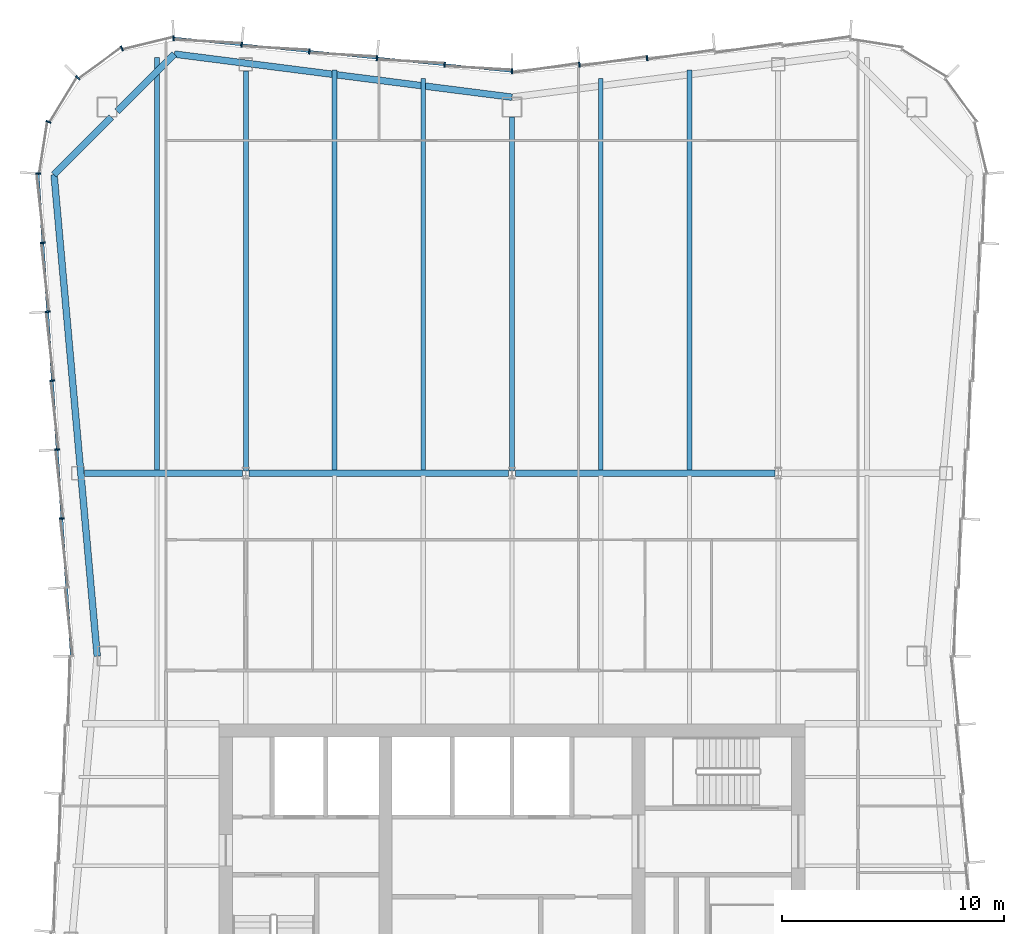
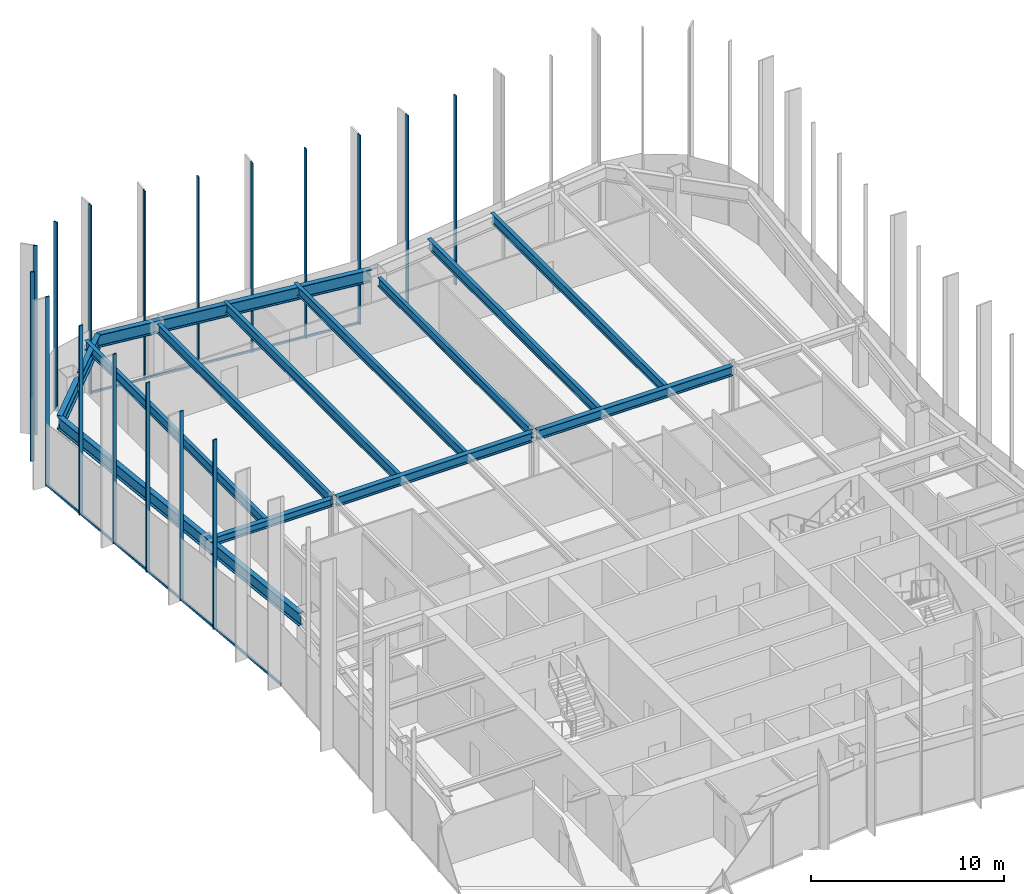
# One storey, part 6 of 13: 19 members, 14 beams, 3 elements without a shape of their own.
"""IFC4 building model written with IfcOpenShell, lengths in metres."""

from ifc_helpers import new_model, si_unit, direction, frame, origin, origin_2d, place, context, subcontext, project, spatial, rectangle, i_section, extrude, material, material_profile, profile_set, type_object, element, aggregate, save


model = new_model("IFC4")

# Units and contexts
model_context = context("Model", 3, precision=1e-05, world=origin(), true_north=direction((0.0, 1.0)))
body_context = subcontext(model_context, "Body", "Model", "MODEL_VIEW")
ifc_project = project(units=[si_unit("LENGTHUNIT", "METRE"), si_unit("AREAUNIT", "SQUARE_METRE"), si_unit("VOLUMEUNIT", "CUBIC_METRE"), si_unit("PLANEANGLEUNIT", "RADIAN"), si_unit("MASSUNIT", "GRAM", prefix="KILO")], contexts=[model_context])

# Site, building, storey
site_placement = place(None, origin())
site = spatial("IfcSite", under=ifc_project, at=site_placement, CompositionType="ELEMENT")
building_placement = place(site_placement, origin())
building = spatial("IfcBuilding", under=site, at=building_placement, Name="Verdant Reach Tower", CompositionType="ELEMENT")
storey_placement = place(building_placement, frame((0.0, 0.0, 294.0)))
storey = spatial("IfcBuildingStorey", under=building, at=storey_placement, Name="L67", CompositionType="ELEMENT", Elevation=294.0)

# Curtain wall, members
ifc_material_1 = material(Name="Anodised aluminium", Category="aluminium")
curtain_wall_type = type_object("IfcCurtainWallType", Name="EN-CW SYSTEM Z5", PredefinedType="NOTDEFINED", material=ifc_material_1)
curtain_wall_1_placement = place(storey_placement, origin())
curtain_wall_1 = element("IfcCurtainWall", 1, at=curtain_wall_1_placement, inside=storey, type_object=curtain_wall_type, Name="Curtain wall north, L67", PredefinedType="NOTDEFINED")
ifc_material_profile_1 = material_profile(ifc_material_1, rectangle(XDim=0.22998046875, YDim=0.070068359375, at=origin_2d()), Name="Mullion 70x230")
ifc_profile_set_1 = profile_set([ifc_material_profile_1], Name="Anodised aluminium")
member_type_1 = type_object("IfcMemberType", Name="EN-MULLION Z5", PredefinedType="MULLION", material=ifc_profile_set_1)
member_1_placement = place(storey_placement, frame((6.088623046875, 68.21435546875, -0.35009765625), z_axis=(0.0, 0.0, 1.0), x_axis=(-0.09788826992, 0.995197410875, 0.0)))
member_1 = element("IfcMember", 2, at=member_1_placement, type_object=member_type_1, Name="Mullion north face part 1 4, L67", PredefinedType="MULLION", context=body_context, shape_type="SweptSolid", body=[
    extrude(rectangle(XDim=0.22998046875, YDim=0.070068359375, at=origin_2d()), origin(), (0.0, 0.0, 1.0), 12.0),
])
member_2_placement = place(storey_placement, frame((3.038818359375, 67.91455078125, -0.35009765625), z_axis=(0.0, 0.0, 1.0), x_axis=(-0.09788826992, 0.995197410875, 0.0)))
member_2 = element("IfcMember", 3, at=member_2_placement, type_object=member_type_1, Name="Mullion north face part 1 5, L67", PredefinedType="MULLION", context=body_context, shape_type="SweptSolid", body=[
    extrude(rectangle(XDim=0.22998046875, YDim=0.070068359375, at=origin_2d()), origin(), (0.0, 0.0, 1.0), 12.0),
])
member_3_placement = place(storey_placement, frame((0.0, 67.614990234375, -0.35009765625), z_axis=(0.0, 0.0, 1.0), x_axis=(0.0, 1.0, 0.0)))
member_3 = element("IfcMember", 4, at=member_3_placement, type_object=member_type_1, Name="Mullion north face part 2 1, L67", PredefinedType="MULLION", context=body_context, shape_type="SweptSolid", body=[
    extrude(rectangle(XDim=0.22998046875, YDim=0.070068359375, at=origin_2d()), origin(), (0.0, 0.0, 1.0), 12.0),
])
member_4_placement = place(storey_placement, frame((-3.038818359375, 67.91455078125, -0.35009765625), z_axis=(0.0, 0.0, 1.0), x_axis=(0.09788826992, 0.995197410875, 0.0)))
member_4 = element("IfcMember", 5, at=member_4_placement, type_object=member_type_1, Name="Mullion north face part 2 2, L67", PredefinedType="MULLION", context=body_context, shape_type="SweptSolid", body=[
    extrude(rectangle(XDim=0.22998046875, YDim=0.070068359375, at=origin_2d()), origin(), (0.0, 0.0, 1.0), 12.0),
])
member_5_placement = place(storey_placement, frame((-6.088623046875, 68.21435546875, -0.35009765625), z_axis=(0.0, 0.0, 1.0), x_axis=(0.09788826992, 0.995197410875, 0.0)))
member_5 = element("IfcMember", 6, at=member_5_placement, type_object=member_type_1, Name="Mullion north face part 2 3, L67", PredefinedType="MULLION", context=body_context, shape_type="SweptSolid", body=[
    extrude(rectangle(XDim=0.22998046875, YDim=0.070068359375, at=origin_2d()), origin(), (0.0, 0.0, 1.0), 12.0),
])
member_6_placement = place(storey_placement, frame((-9.138671875, 68.514404296875, -0.35009765625), z_axis=(0.0, 0.0, 1.0), x_axis=(0.09788826992, 0.995197410875, 0.0)))
member_6 = element("IfcMember", 7, at=member_6_placement, type_object=member_type_1, Name="Mullion north face part 2 4, L67", PredefinedType="MULLION", context=body_context, shape_type="SweptSolid", body=[
    extrude(rectangle(XDim=0.22998046875, YDim=0.070068359375, at=origin_2d()), origin(), (0.0, 0.0, 1.0), 12.0),
])
member_7_placement = place(storey_placement, frame((-12.188720703125, 68.814453125, -0.35009765625), z_axis=(0.0, 0.0, 1.0), x_axis=(0.09788826992, 0.995197410875, 0.0)))
member_7 = element("IfcMember", 8, at=member_7_placement, type_object=member_type_1, Name="Mullion north face part 2 5, L67", PredefinedType="MULLION", context=body_context, shape_type="SweptSolid", body=[
    extrude(rectangle(XDim=0.22998046875, YDim=0.070068359375, at=origin_2d()), origin(), (0.0, 0.0, 1.0), 12.0),
])

curtain_wall_2_placement = place(storey_placement, origin())
curtain_wall_2 = element("IfcCurtainWall", 9, at=curtain_wall_2_placement, inside=storey, type_object=curtain_wall_type, Name="Curtain wall north-west corner, L67", PredefinedType="NOTDEFINED")
member_8_placement = place(storey_placement, frame((-15.255615234375, 69.11474609375, -0.35009765625), z_axis=(0.0, 0.0, 1.0), x_axis=(-0.049127596288, 0.998792510626, 0.0)))
member_8 = element("IfcMember", 10, at=member_8_placement, type_object=member_type_1, Name="Mullion north-west corner 1, L67", PredefinedType="MULLION", context=body_context, shape_type="SweptSolid", body=[
    extrude(rectangle(XDim=0.22998046875, YDim=0.070068359375, at=origin_2d()), origin(), (0.0, 0.0, 1.0), 12.0),
])
member_9_placement = place(storey_placement, frame((-17.590087890625, 68.649658203125, -0.35009765625), z_axis=(0.0, 0.0, 1.0), x_axis=(-0.382693853776, 0.923875215753, 0.0)))
member_9 = element("IfcMember", 11, at=member_9_placement, type_object=member_type_1, Name="Mullion north-west corner 2, L67", PredefinedType="MULLION", context=body_context, shape_type="SweptSolid", body=[
    extrude(rectangle(XDim=0.22998046875, YDim=0.070068359375, at=origin_2d()), origin(), (0.0, 0.0, 1.0), 12.0),
])
member_10_placement = place(storey_placement, frame((-19.573974609375, 67.323974609375, -0.35009765625), z_axis=(0.0, 0.0, 1.0), x_axis=(-0.707106781187, 0.707106781187, 0.0)))
member_10 = element("IfcMember", 12, at=member_10_placement, type_object=member_type_1, Name="Mullion north-west corner 3, L67", PredefinedType="MULLION", context=body_context, shape_type="SweptSolid", body=[
    extrude(rectangle(XDim=0.22998046875, YDim=0.070068359375, at=origin_2d()), origin(), (0.0, 0.0, 1.0), 12.0),
])
member_11_placement = place(storey_placement, frame((-20.899658203125, 65.340087890625, -0.35009765625), z_axis=(0.0, 0.0, 1.0), x_axis=(-0.923875215753, 0.382693853776, 0.0)))
member_11 = element("IfcMember", 13, at=member_11_placement, type_object=member_type_1, Name="Mullion north-west corner 4, L67", PredefinedType="MULLION", context=body_context, shape_type="SweptSolid", body=[
    extrude(rectangle(XDim=0.22998046875, YDim=0.070068359375, at=origin_2d()), origin(), (0.0, 0.0, 1.0), 12.0),
])
aggregate(curtain_wall_2, [member_8, member_9, member_10, member_11])

curtain_wall_3_placement = place(storey_placement, origin())
curtain_wall_3 = element("IfcCurtainWall", 14, at=curtain_wall_3_placement, inside=storey, type_object=curtain_wall_type, Name="Curtain wall west, L67", PredefinedType="NOTDEFINED")
member_12_placement = place(storey_placement, frame((-21.36474609375, 63.00732421875, -0.35009765625), z_axis=(0.0, 0.0, 1.0), x_axis=(-0.997969180898, 0.063698618332, 0.0)))
member_12 = element("IfcMember", 15, at=member_12_placement, type_object=member_type_1, Name="Mullion west face part 1 1, L67", PredefinedType="MULLION", context=body_context, shape_type="SweptSolid", body=[
    extrude(rectangle(XDim=0.22998046875, YDim=0.070068359375, at=origin_2d()), origin(), (0.0, 0.0, 1.0), 12.0),
])
member_13_placement = place(storey_placement, frame((-21.150390625, 59.885009765625, -0.35009765625), z_axis=(0.0, 0.0, 1.0), x_axis=(-0.997630328423, -0.068802091615, 0.0)))
member_13 = element("IfcMember", 16, at=member_13_placement, type_object=member_type_1, Name="Mullion west face part 1 2, L67", PredefinedType="MULLION", context=body_context, shape_type="SweptSolid", body=[
    extrude(rectangle(XDim=0.22998046875, YDim=0.070068359375, at=origin_2d()), origin(), (0.0, 0.0, 1.0), 12.0),
])
member_14_placement = place(storey_placement, frame((-20.93603515625, 56.77783203125, -0.35009765625), z_axis=(0.0, 0.0, 1.0), x_axis=(-0.997630328423, -0.068802091615, 0.0)))
member_14 = element("IfcMember", 17, at=member_14_placement, type_object=member_type_1, Name="Mullion west face part 1 3, L67", PredefinedType="MULLION", context=body_context, shape_type="SweptSolid", body=[
    extrude(rectangle(XDim=0.22998046875, YDim=0.070068359375, at=origin_2d()), origin(), (0.0, 0.0, 1.0), 12.0),
])
member_15_placement = place(storey_placement, frame((-20.721923828125, 53.670654296875, -0.35009765625), z_axis=(0.0, 0.0, 1.0), x_axis=(-0.997630328423, -0.068802091615, 0.0)))
member_15 = element("IfcMember", 18, at=member_15_placement, type_object=member_type_1, Name="Mullion west face part 1 4, L67", PredefinedType="MULLION", context=body_context, shape_type="SweptSolid", body=[
    extrude(rectangle(XDim=0.22998046875, YDim=0.070068359375, at=origin_2d()), origin(), (0.0, 0.0, 1.0), 12.0),
])
member_16_placement = place(storey_placement, frame((-20.507568359375, 50.5634765625, -0.35009765625), z_axis=(0.0, 0.0, 1.0), x_axis=(-0.997630328423, -0.068802091615, 0.0)))
member_16 = element("IfcMember", 19, at=member_16_placement, type_object=member_type_1, Name="Mullion west face part 1 5, L67", PredefinedType="MULLION", context=body_context, shape_type="SweptSolid", body=[
    extrude(rectangle(XDim=0.22998046875, YDim=0.070068359375, at=origin_2d()), origin(), (0.0, 0.0, 1.0), 12.0),
])
member_17_placement = place(storey_placement, frame((-20.293212890625, 47.456298828125, -0.35009765625), z_axis=(0.0, 0.0, 1.0), x_axis=(-0.997630328423, -0.068802091615, 0.0)))
member_17 = element("IfcMember", 20, at=member_17_placement, type_object=member_type_1, Name="Mullion west face part 1 6, L67", PredefinedType="MULLION", context=body_context, shape_type="SweptSolid", body=[
    extrude(rectangle(XDim=0.22998046875, YDim=0.070068359375, at=origin_2d()), origin(), (0.0, 0.0, 1.0), 12.0),
])

# Member
ifc_material_profile_2 = material_profile(ifc_material_1, rectangle(XDim=0.10009765625, YDim=0.1298828125, at=origin_2d()), Name="Transom 130x100")
ifc_profile_set_2 = profile_set([ifc_material_profile_2], Name="Anodised aluminium")
member_type_2 = type_object("IfcMemberType", Name="EN-TRANSOM Z5", PredefinedType="USERDEFINED", material=ifc_profile_set_2)
member_18_placement = place(storey_placement, frame((-0.034912109375, 67.618408203125, -0.284912109375), z_axis=(-0.99520229006, 0.097838652171, 0.0), x_axis=(-0.097838652171, -0.99520229006, 0.0)))
member_18 = element("IfcMember", 21, at=member_18_placement, type_object=member_type_2, Name="Transom north face part 2 1.1, L67", ObjectType="TRANSOM", PredefinedType="USERDEFINED", context=body_context, shape_type="SweptSolid", body=[
    extrude(rectangle(XDim=0.10009765625, YDim=0.1298828125, at=origin_2d()), origin(), (0.0, 0.0, 1.0), 15.259033203125),
])

aggregate(curtain_wall_1, [member_1, member_2, member_3, member_4, member_5, member_6, member_7, member_18])

member_19_placement = place(storey_placement, frame((-21.3623046875, 62.972412109375, -0.284912109375), z_axis=(0.068764705107, -0.997632906099, 0.0), x_axis=(0.997632906099, 0.068764705107, 0.0)))
member_19 = element("IfcMember", 22, at=member_19_placement, type_object=member_type_2, Name="Transom west face part 1 1.1, L67", ObjectType="TRANSOM", PredefinedType="USERDEFINED", context=body_context, shape_type="SweptSolid", body=[
    extrude(rectangle(XDim=0.10009765625, YDim=0.1298828125, at=origin_2d()), origin(), (0.0, 0.0, 1.0), 21.739013671875),
])

aggregate(curtain_wall_3, [member_12, member_13, member_14, member_15, member_16, member_17, member_19])

# Beams
ifc_material_2 = material(Name="Steel S355", Category="steel")
ifc_material_profile_3 = material_profile(ifc_material_2, i_section(OverallWidth=0.300048828125, OverallDepth=0.489990234375, WebThickness=0.011962890625, FlangeThickness=0.02294921875, FilletRadius=0.027099609375, at=origin_2d()), Name="HEA 500")
ifc_profile_set_3 = profile_set([ifc_material_profile_3], Name="Steel S355")
beam_type_1 = type_object("IfcBeamType", Name="ST-BEAM-HEA500", PredefinedType="BEAM", material=ifc_profile_set_3)
beam_1_placement = place(storey_placement, frame((-19.26904296875, 49.5, 3.625), z_axis=(1.0, 0.0, 0.0), x_axis=(0.0, 1.0, 0.0)))
element("IfcBeam", 23, at=beam_1_placement, inside=storey, type_object=beam_type_1, Name="Row girder, L67", PredefinedType="BEAM", context=body_context, shape_type="SweptSolid", body=[
    extrude(i_section(OverallWidth=0.300048828125, OverallDepth=0.489990234375, WebThickness=0.011962890625, FlangeThickness=0.02294921875, FilletRadius=0.027099609375, at=origin_2d()), origin(), (0.0, 0.0, 1.0), 7.115966796875),
])
ifc_material_profile_4 = material_profile(ifc_material_2, i_section(OverallWidth=0.300048828125, OverallDepth=0.60009765625, WebThickness=0.015380859375, FlangeThickness=0.030029296875, FilletRadius=0.027099609375, at=origin_2d()), Name="HEB 600")
ifc_profile_set_4 = profile_set([ifc_material_profile_4], Name="Steel S355")
beam_type_2 = type_object("IfcBeamType", Name="ST-BEAM-HEB600", PredefinedType="BEAM", material=ifc_profile_set_4)
for number, where, z_axis, x_axis, name in (
    (24, (-11.846923828125, 49.5, 3.570068359375), (1.0, 0.0, 0.0), (0.0, 1.0, 0.0), "Row girder, L67"),
    (25, (0.153076171875, 49.5, 3.570068359375), (1.0, 0.0, 0.0), (0.0, 1.0, 0.0), "Row girder, L67"),
):
    element("IfcBeam", number, at=place(storey_placement, frame(where, z_axis=z_axis, x_axis=x_axis)), inside=storey, type_object=beam_type_2, Name=name, PredefinedType="BEAM", context=body_context, shape_type="SweptSolid", body=[
        extrude(i_section(OverallWidth=0.300048828125, OverallDepth=0.60009765625, WebThickness=0.015380859375, FlangeThickness=0.030029296875, FilletRadius=0.027099609375, at=origin_2d()), origin(), (0.0, 0.0, 1.0), 11.69384765625),
    ])
ifc_material_profile_5 = material_profile(ifc_material_2, i_section(OverallWidth=0.2099609375, OverallDepth=0.550048828125, WebThickness=0.010986328125, FlangeThickness=0.01708984375, FilletRadius=0.02392578125, at=origin_2d()), Name="IPE 550")
ifc_profile_set_5 = profile_set([ifc_material_profile_5], Name="Steel S355")
beam_type_3 = type_object("IfcBeamType", Name="ST-JOIST-IPE550", PredefinedType="JOIST", material=ifc_profile_set_5)
beam_2_placement = place(storey_placement, frame((0.0, 49.60009765625, 3.594970703125), z_axis=(0.0, 1.0, 0.0), x_axis=(-1.0, 0.0, 0.0)))
element("IfcBeam", 26, at=beam_2_placement, inside=storey, type_object=beam_type_3, Name="Floor joist, L67", PredefinedType="JOIST", context=body_context, shape_type="SweptSolid", body=[
    extrude(i_section(OverallWidth=0.2099609375, OverallDepth=0.550048828125, WebThickness=0.010986328125, FlangeThickness=0.01708984375, FilletRadius=0.02392578125, at=origin_2d()), origin(), (0.0, 0.0, 1.0), 15.949951171875),
])
ifc_material_profile_6 = material_profile(ifc_material_2, i_section(OverallWidth=0.219970703125, OverallDepth=0.60009765625, WebThickness=0.011962890625, FlangeThickness=0.01904296875, FilletRadius=0.02392578125, at=origin_2d()), Name="IPE 600")
ifc_profile_set_6 = profile_set([ifc_material_profile_6], Name="Steel S355")
beam_type_4 = type_object("IfcBeamType", Name="ST-JOIST-IPE600", PredefinedType="JOIST", material=ifc_profile_set_6)
beam_3_placement = place(storey_placement, frame((-16.0, 49.60009765625, 3.570068359375), z_axis=(0.0, 1.0, 0.0), x_axis=(-1.0, 0.0, 0.0)))
element("IfcBeam", 27, at=beam_3_placement, inside=storey, type_object=beam_type_4, Name="Floor joist, L67", PredefinedType="JOIST", context=body_context, shape_type="SweptSolid", body=[
    extrude(i_section(OverallWidth=0.219970703125, OverallDepth=0.60009765625, WebThickness=0.011962890625, FlangeThickness=0.01904296875, FilletRadius=0.02392578125, at=origin_2d()), origin(), (0.0, 0.0, 1.0), 18.638916015625),
])
beam_4_placement = place(storey_placement, frame((-12.0, 49.60009765625, 3.570068359375), z_axis=(0.0, 1.0, 0.0), x_axis=(-1.0, 0.0, 0.0)))
element("IfcBeam", 28, at=beam_4_placement, inside=storey, type_object=beam_type_4, Name="Floor joist, L67", PredefinedType="JOIST", context=body_context, shape_type="SweptSolid", body=[
    extrude(i_section(OverallWidth=0.219970703125, OverallDepth=0.60009765625, WebThickness=0.011962890625, FlangeThickness=0.01904296875, FilletRadius=0.02392578125, at=origin_2d()), origin(), (0.0, 0.0, 1.0), 18.0302734375),
])
beam_5_placement = place(storey_placement, frame((-8.0, 49.60009765625, 3.570068359375), z_axis=(0.0, 1.0, 0.0), x_axis=(-1.0, 0.0, 0.0)))
element("IfcBeam", 29, at=beam_5_placement, inside=storey, type_object=beam_type_4, Name="Floor joist, L67", PredefinedType="JOIST", context=body_context, shape_type="SweptSolid", body=[
    extrude(i_section(OverallWidth=0.219970703125, OverallDepth=0.60009765625, WebThickness=0.011962890625, FlangeThickness=0.01904296875, FilletRadius=0.02392578125, at=origin_2d()), origin(), (0.0, 0.0, 1.0), 18.083984375),
])
for number, where, z_axis, x_axis, name in (
    (30, (-4.0, 49.60009765625, 3.570068359375), (0.0, 1.0, 0.0), (-1.0, 0.0, 0.0), "Floor joist, L67"),
    (31, (4.0, 49.60009765625, 3.570068359375), (0.0, 1.0, 0.0), (-1.0, 0.0, 0.0), "Floor joist, L67"),
):
    element("IfcBeam", number, at=place(storey_placement, frame(where, z_axis=z_axis, x_axis=x_axis)), inside=storey, type_object=beam_type_4, Name=name, PredefinedType="JOIST", context=body_context, shape_type="SweptSolid", body=[
        extrude(i_section(OverallWidth=0.219970703125, OverallDepth=0.60009765625, WebThickness=0.011962890625, FlangeThickness=0.01904296875, FilletRadius=0.02392578125, at=origin_2d()), origin(), (0.0, 0.0, 1.0), 17.6904296875),
    ])
beam_6_placement = place(storey_placement, frame((8.0, 49.60009765625, 3.570068359375), z_axis=(0.0, 1.0, 0.0), x_axis=(-1.0, 0.0, 0.0)))
element("IfcBeam", 32, at=beam_6_placement, inside=storey, type_object=beam_type_4, Name="Floor joist, L67", PredefinedType="JOIST", context=body_context, shape_type="SweptSolid", body=[
    extrude(i_section(OverallWidth=0.219970703125, OverallDepth=0.60009765625, WebThickness=0.011962890625, FlangeThickness=0.01904296875, FilletRadius=0.02392578125, at=origin_2d()), origin(), (0.0, 0.0, 1.0), 18.083984375),
])
ifc_material_profile_7 = material_profile(ifc_material_2, i_section(OverallWidth=0.300048828125, OverallDepth=0.800048828125, WebThickness=0.017578125, FlangeThickness=0.032958984375, FilletRadius=0.030029296875, at=origin_2d()), Name="HEB 800")
ifc_profile_set_7 = profile_set([ifc_material_profile_7], Name="Steel S355")
beam_type_5 = type_object("IfcBeamType", Name="ST-SPANDREL-HEB800", PredefinedType="SPANDREL", material=ifc_profile_set_7)
beam_7_placement = place(storey_placement, frame((-18.699951171875, 41.25, 3.469970703125), z_axis=(-0.089274399498, 0.996007069048, 0.0), x_axis=(-0.996007069048, -0.089274399498, 0.0)))
element("IfcBeam", 33, at=beam_7_placement, inside=storey, type_object=beam_type_5, Name="Edge beam, L67", PredefinedType="SPANDREL", context=body_context, shape_type="SweptSolid", body=[
    extrude(i_section(OverallWidth=0.300048828125, OverallDepth=0.800048828125, WebThickness=0.017578125, FlangeThickness=0.032958984375, FilletRadius=0.030029296875, at=origin_2d()), origin(), (0.0, 0.0, 1.0), 21.798583984375),
])
beam_8_placement = place(storey_placement, frame((-15.22021484375, 68.394287109375, 3.469970703125), z_axis=(0.991938889669, -0.126717162063, 0.0), x_axis=(0.126717162063, 0.991938889669, 0.0)))
element("IfcBeam", 34, at=beam_8_placement, inside=storey, type_object=beam_type_5, Name="Edge beam, L67", PredefinedType="SPANDREL", context=body_context, shape_type="SweptSolid", body=[
    extrude(i_section(OverallWidth=0.300048828125, OverallDepth=0.800048828125, WebThickness=0.017578125, FlangeThickness=0.032958984375, FilletRadius=0.030029296875, at=origin_2d()), origin(), (0.0, 0.0, 1.0), 15.343994140625),
])
ifc_material_profile_8 = material_profile(ifc_material_2, i_section(OverallWidth=0.302001953125, OverallDepth=0.909912109375, WebThickness=0.02099609375, FlangeThickness=0.0400390625, FilletRadius=0.030029296875, at=origin_2d()), Name="HEM 900")
ifc_profile_set_8 = profile_set([ifc_material_profile_8], Name="Steel S355")
beam_type_6 = type_object("IfcBeamType", Name="ST-SPANDREL-HEM900", PredefinedType="SPANDREL", material=ifc_profile_set_8)
beam_9_placement = place(storey_placement, frame((-20.64599609375, 62.96142578125, 3.4150390625), z_axis=(0.706639493403, 0.707573760369, 0.0), x_axis=(-0.707573760369, 0.706639493403, 0.0)))
element("IfcBeam", 35, at=beam_9_placement, inside=storey, type_object=beam_type_6, Name="Edge beam, L67", PredefinedType="SPANDREL", context=body_context, shape_type="SweptSolid", body=[
    extrude(i_section(OverallWidth=0.302001953125, OverallDepth=0.909912109375, WebThickness=0.02099609375, FlangeThickness=0.0400390625, FilletRadius=0.030029296875, at=origin_2d()), origin(), (0.0, 0.0, 1.0), 3.658447265625),
])
beam_10_placement = place(storey_placement, frame((-17.800048828125, 65.81103515625, 3.4150390625), z_axis=(0.706638520854, 0.707574731632, 0.0), x_axis=(-0.707574731632, 0.706638520854, 0.0)))
element("IfcBeam", 36, at=beam_10_placement, inside=storey, type_object=beam_type_6, Name="Edge beam, L67", PredefinedType="SPANDREL", context=body_context, shape_type="SweptSolid", body=[
    extrude(i_section(OverallWidth=0.302001953125, OverallDepth=0.909912109375, WebThickness=0.02099609375, FlangeThickness=0.0400390625, FilletRadius=0.030029296875, at=origin_2d()), origin(), (0.0, 0.0, 1.0), 3.65087890625),
])

save(model, "model.ifc")
